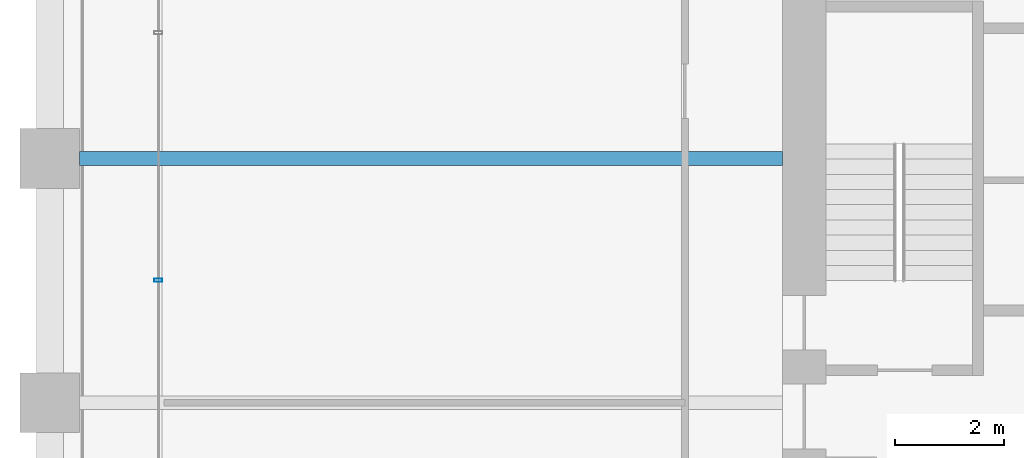
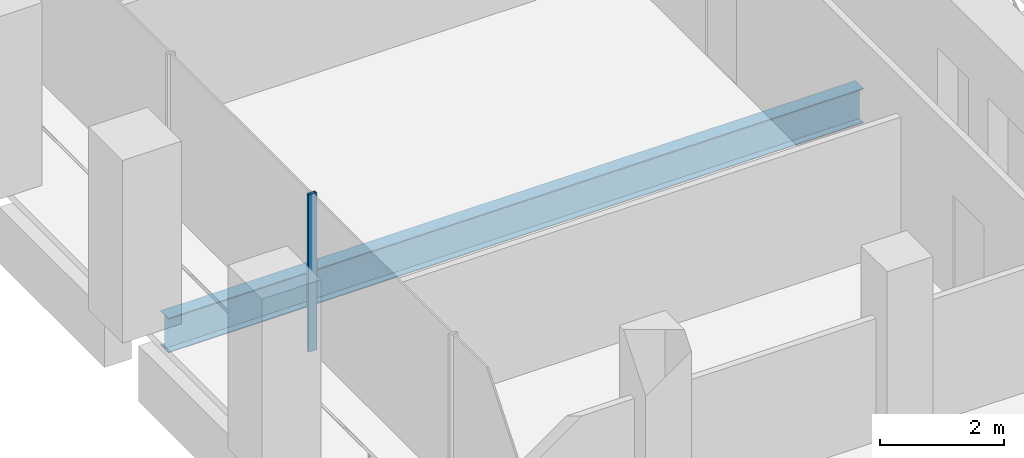
# One storey, part 11 of 56: 1 beam, 1 member, 1 element without a shape of its own.
"""IFC4 building model written with IfcOpenShell, lengths in metres."""

from ifc_helpers import new_model, si_unit, direction, frame, origin, origin_2d, place, context, subcontext, project, spatial, hollow_rectangle, i_section, extrude, material, material_profile, profile_set, type_object, element, aggregate, save


model = new_model("IFC4")

# Units and contexts
model_context = context("Model", 3, precision=1e-05, world=origin(), true_north=direction((0.0, 1.0)))
body_context = subcontext(model_context, "Body", "Model", "MODEL_VIEW")
ifc_project = project(units=[si_unit("LENGTHUNIT", "METRE"), si_unit("AREAUNIT", "SQUARE_METRE"), si_unit("VOLUMEUNIT", "CUBIC_METRE"), si_unit("PLANEANGLEUNIT", "RADIAN"), si_unit("MASSUNIT", "GRAM", prefix="KILO")], contexts=[model_context])

# Site, building, storey
site_placement = place(None, origin())
site = spatial("IfcSite", under=ifc_project, at=site_placement, CompositionType="ELEMENT")
building_placement = place(site_placement, origin())
building = spatial("IfcBuilding", under=site, at=building_placement, Name="Altepetl Exchange Towers", CompositionType="ELEMENT")
storey_placement = place(building_placement, frame((0.0, 0.0, 83.39990234375)))
storey = spatial("IfcBuildingStorey", under=building, at=storey_placement, Name="L20", CompositionType="ELEMENT", Elevation=83.39990234375)

# Beam
ifc_material_1 = material(Name="Steel S355", Category="steel")
ifc_material_profile_1 = material_profile(ifc_material_1, i_section(OverallWidth=0.25390625, OverallDepth=0.68408203125, WebThickness=0.012451171875, FlangeThickness=0.018798828125, at=origin_2d()), Name="W27X94")
ifc_profile_set_1 = profile_set([ifc_material_profile_1], Name="Steel S355")
beam_type = type_object("IfcBeamType", Name="Floor beam W27X94", PredefinedType="BEAM", material=ifc_profile_set_1)
beam_placement = place(storey_placement, frame((27.550048828125, 49.5, -0.491943359375), z_axis=(1.0, 0.0, 0.0), x_axis=(0.0, 1.0, 0.0)))
element("IfcBeam", 1, at=beam_placement, inside=storey, type_object=beam_type, Name="bm:A:L20:019", PredefinedType="BEAM", context=body_context, shape_type="SweptSolid", body=[
    extrude(i_section(OverallWidth=0.25390625, OverallDepth=0.68408203125, WebThickness=0.012451171875, FlangeThickness=0.018798828125, at=origin_2d()), origin(), (0.0, 0.0, 1.0), 12.949951171875),
])

# Curtain wall, member
ifc_material_2 = material(Name="Aluminium 6063-T6 glazing", Category="aluminium")
curtain_wall_type = type_object("IfcCurtainWallType", Name="Loggia glazing system", PredefinedType="NOTDEFINED", material=ifc_material_2)
curtain_wall_placement = place(storey_placement, origin())
curtain_wall = element("IfcCurtainWall", 2, at=curtain_wall_placement, inside=storey, type_object=curtain_wall_type, Name="CW1 run", PredefinedType="NOTDEFINED")
ifc_material_3 = material(Name="Aluminium 6063-T6", Category="aluminium")
ifc_material_profile_2 = material_profile(ifc_material_3, hollow_rectangle(XDim=0.06005859375, YDim=0.14990234375, WallThickness=0.0029296875, at=origin_2d()), Name="Mullion 60x150 aluminium")
ifc_profile_set_2 = profile_set([ifc_material_profile_2], Name="Aluminium 6063-T6")
member_type = type_object("IfcMemberType", Name="Mullion 60x150 aluminium", PredefinedType="MULLION", material=ifc_profile_set_2)
member_placement = place(storey_placement, frame((29.0, 47.257080078125, 0.0), z_axis=(0.0, 0.0, 1.0), x_axis=(0.0, -1.0, 0.0)))
member = element("IfcMember", 3, at=member_placement, type_object=member_type, Name="MU1 mullion", PredefinedType="MULLION", context=body_context, shape_type="SweptSolid", body=[
    extrude(hollow_rectangle(XDim=0.06005859375, YDim=0.14990234375, WallThickness=0.0029296875, at=origin_2d()), origin(), (0.0, 0.0, 1.0), 3.10009765625),
])
aggregate(curtain_wall, [member])

save(model, "model.ifc")
